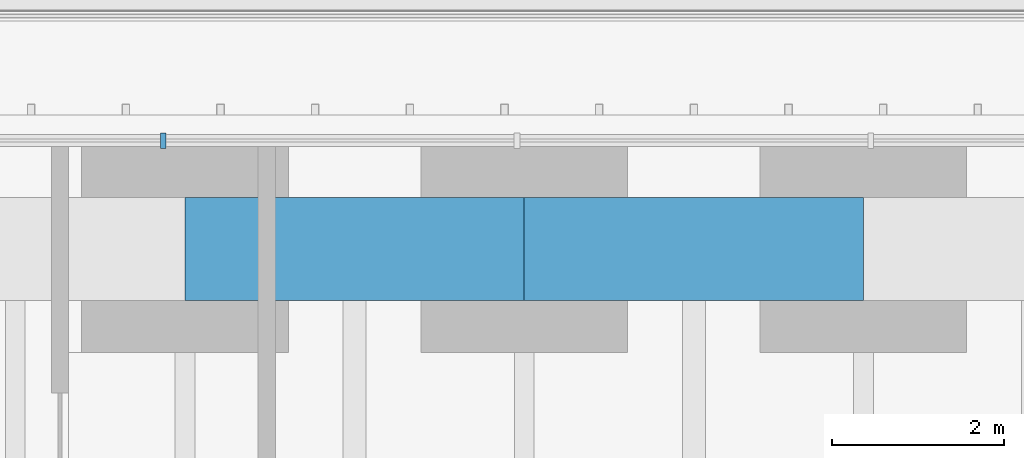
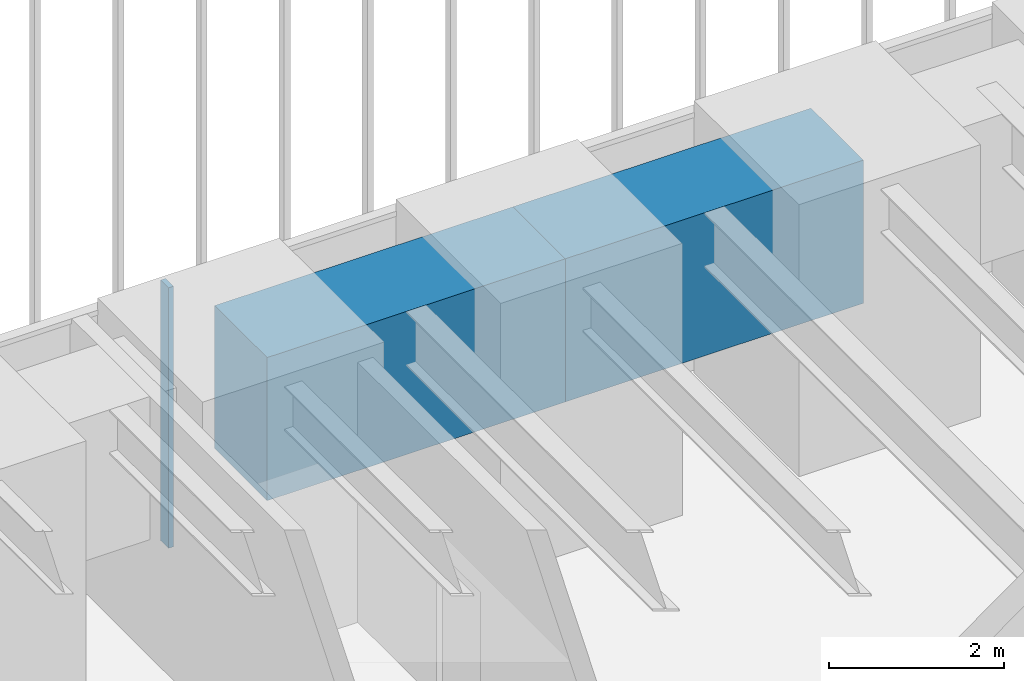
# One storey, part 164 of 238: 2 beams, 1 member, 1 element without a shape of its own.
"""IFC4 building model written with IfcOpenShell, lengths in metres."""

from ifc_helpers import new_model, si_unit, direction, frame, origin, origin_2d, place, context, subcontext, project, spatial, rectangle, extrude, material, material_profile, profile_set, type_object, element, aggregate, save


model = new_model("IFC4")

# Units and contexts
model_context = context("Model", 3, precision=1e-05, world=origin(), true_north=direction((0.0, 1.0)))
body_context = subcontext(model_context, "Body", "Model", "MODEL_VIEW")
ifc_project = project(units=[si_unit("LENGTHUNIT", "METRE"), si_unit("AREAUNIT", "SQUARE_METRE"), si_unit("VOLUMEUNIT", "CUBIC_METRE"), si_unit("PLANEANGLEUNIT", "RADIAN"), si_unit("MASSUNIT", "GRAM", prefix="KILO")], contexts=[model_context])

# Site, building, storey
site_placement = place(None, origin())
site = spatial("IfcSite", under=ifc_project, at=site_placement, CompositionType="ELEMENT")
building_placement = place(site_placement, origin())
building = spatial("IfcBuilding", under=site, at=building_placement, Name="Sandreach Pilgrim Tower", CompositionType="ELEMENT")
storey_placement = place(building_placement, frame((0.0, 0.0, 96.800048828125)))
storey = spatial("IfcBuildingStorey", under=building, at=storey_placement, Name="L23", CompositionType="ELEMENT", Elevation=96.800048828125)

# Curtain wall, member
ifc_material_1 = material(Name="Aluminium framed curtain wall", Category="aluminium")
curtain_wall_type = type_object("IfcCurtainWallType", Name="Hotel tower curtain wall", PredefinedType="NOTDEFINED", material=ifc_material_1)
curtain_wall_placement = place(storey_placement, origin())
curtain_wall = element("IfcCurtainWall", 1, at=curtain_wall_placement, inside=storey, type_object=curtain_wall_type, Name="CW-2 L23 N", PredefinedType="NOTDEFINED")
ifc_material_2 = material(Name="Aluminium extrusion", Category="aluminium")
ifc_material_profile_1 = material_profile(ifc_material_2, rectangle(XDim=0.06494140625, YDim=0.179931640625, at=origin_2d()), Name="CW-2M 65X180")
ifc_profile_set_1 = profile_set([ifc_material_profile_1], Name="Aluminium extrusion")
member_type = type_object("IfcMemberType", Name="CW-2 mullion", PredefinedType="MULLION", material=ifc_profile_set_1)
member_placement = place(storey_placement, frame((-6.160400390625, 22.493896484375, 0.0), z_axis=(0.0, 0.0, 1.0), x_axis=(1.0, 0.0, 0.0)))
member = element("IfcMember", 2, at=member_placement, type_object=member_type, Name="CW-2 mullion 4", PredefinedType="MULLION", context=body_context, shape_type="SweptSolid", body=[
    extrude(rectangle(XDim=0.06494140625, YDim=0.179931640625, at=origin_2d()), origin(), (0.0, 0.0, 1.0), 3.639892578125),
])
aggregate(curtain_wall, [member])

# Beams
ifc_material_3 = material(Name="Concrete 10000 psi", Category="concrete")
ifc_material_profile_2 = material_profile(ifc_material_3, rectangle(XDim=1.199951171875, YDim=2.0, at=origin_2d()), Name="RC1200X2000")
ifc_profile_set_2 = profile_set([ifc_material_profile_2], Name="Concrete 10000 psi")
beam_type = type_object("IfcBeamType", Name="Spandrel beam RC1200X2000", PredefinedType="SPANDREL", material=ifc_profile_set_2)
for number, where, z_axis, x_axis, name in (
    (3, (-5.909912109375, 21.23388671875, 2.639892578125), (1.0, 0.0, 0.0), (0.0, 1.0, 0.0), "BM L23 SP03"),
    (4, (-1.969970703125, 21.23388671875, 2.639892578125), (1.0, 0.0, 0.0), (0.0, 1.0, 0.0), "BM L23 SP04"),
):
    element("IfcBeam", number, at=place(storey_placement, frame(where, z_axis=z_axis, x_axis=x_axis)), inside=storey, type_object=beam_type, Name=name, PredefinedType="SPANDREL", context=body_context, shape_type="SweptSolid", body=[
        extrude(rectangle(XDim=1.199951171875, YDim=2.0, at=origin_2d()), origin(), (0.0, 0.0, 1.0), 3.93994140625),
    ])

save(model, "model.ifc")
